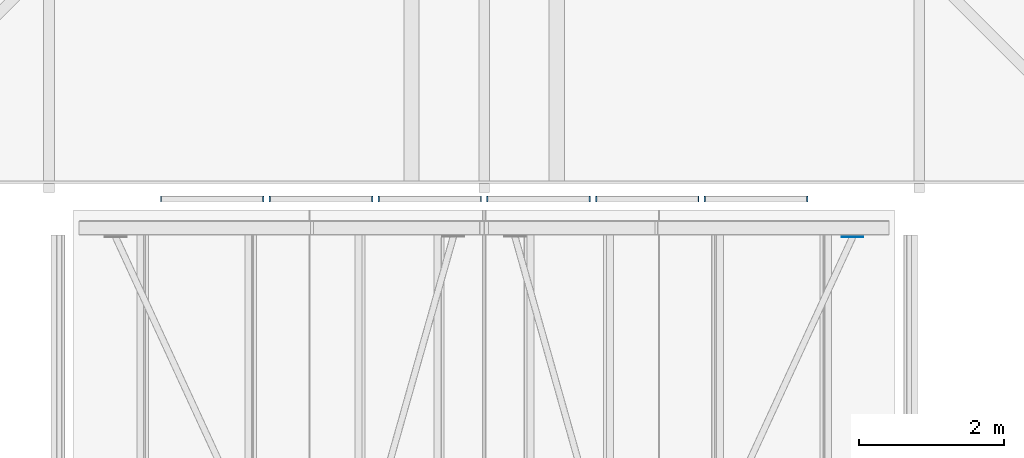
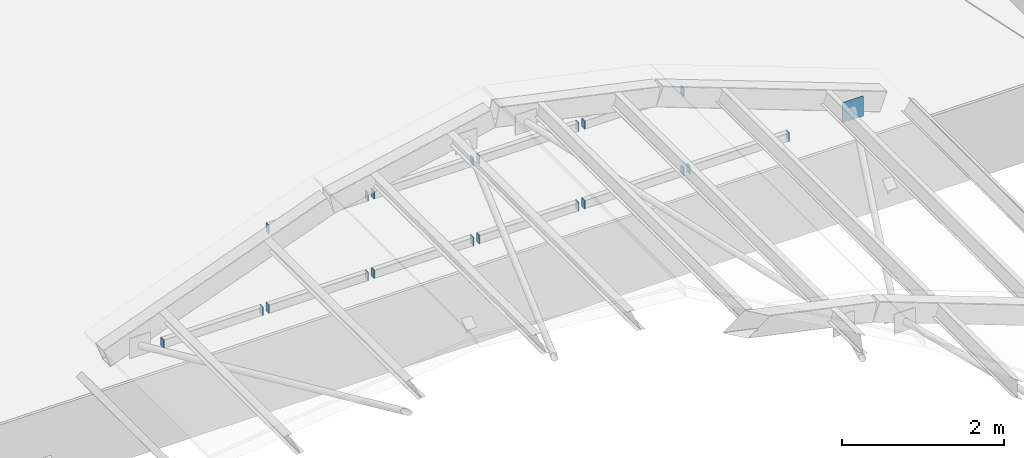
# One storey, part 53 of 57: 21 discrete accessories.
"""IFC4 building model written with IfcOpenShell, lengths in metres."""

from ifc_helpers import new_model, si_unit, direction, frame, origin, origin_2d, place, context, subcontext, project, spatial, rectangle, extrude, material, material_profile, profile_set, type_object, element, save


model = new_model("IFC4")

# Units and contexts
model_context = context("Model", 3, precision=1e-05, world=origin(), true_north=direction((0.0, 1.0)))
body_context = subcontext(model_context, "Body", "Model", "MODEL_VIEW")
ifc_project = project(units=[si_unit("LENGTHUNIT", "METRE"), si_unit("AREAUNIT", "SQUARE_METRE"), si_unit("VOLUMEUNIT", "CUBIC_METRE"), si_unit("PLANEANGLEUNIT", "RADIAN"), si_unit("MASSUNIT", "GRAM", prefix="KILO")], contexts=[model_context])

# Site, building, storey
site_placement = place(None, origin())
site = spatial("IfcSite", under=ifc_project, at=site_placement, CompositionType="ELEMENT")
building_placement = place(site_placement, origin())
building = spatial("IfcBuilding", under=site, at=building_placement, Name="Saffron Lane Theatres", CompositionType="ELEMENT")
storey_placement = place(building_placement, frame((0.0, 0.0, 28.0)))
storey = spatial("IfcBuildingStorey", under=building, at=storey_placement, Name="Upper Roof", CompositionType="ELEMENT", Elevation=28.0)

# Discrete accessories
ifc_material_1 = material(Name="Steel Grade 350", Category="steel")
ifc_material_profile_1 = material_profile(ifc_material_1, rectangle(XDim=0.300048828125, YDim=0.300048828125, at=origin_2d()))
ifc_profile_set_1 = profile_set([ifc_material_profile_1], Name="Steel Grade 350")
discrete_accessory_type_1 = type_object("IfcDiscreteAccessoryType", Name="ST-GUSSET CONNECTION PLATE", PredefinedType="BRACKET", material=ifc_profile_set_1)
discrete_accessory_placement = place(storey_placement, frame((38.07958984375, 89.23046875, 2.0986328125), z_axis=(0.0, -1.0, 0.0), x_axis=(1.0, 0.0, 0.0)))
element("IfcDiscreteAccessory", 1, at=discrete_accessory_placement, inside=storey, type_object=discrete_accessory_type_1, Name="GB92", PredefinedType="BRACKET", context=body_context, shape_type="SweptSolid", body=[
    extrude(rectangle(XDim=0.300048828125, YDim=0.300048828125, at=origin_2d()), origin(), (0.0, 0.0, 1.0), 0.010009765625),
])
ifc_material_2 = material(Name="Steel Grade 350", Category="steel")
ifc_material_profile_2 = material_profile(ifc_material_2, rectangle(XDim=0.074951171875, YDim=0.125, at=origin_2d()))
ifc_profile_set_2 = profile_set([ifc_material_profile_2], Name="Steel Grade 350")
discrete_accessory_type_2 = type_object("IfcDiscreteAccessoryType", Name="ST-STEEL END CAP 125x75x5 RHS", PredefinedType="ANCHORPLATE", material=ifc_profile_set_2)
for number, where, z_axis, x_axis, name in (
    (2, (28.5380859375, 89.75, 1.60009765625), (1.0, 0.0, 0.0), (0.0, 1.0, 0.0), "EC23"),
    (3, (29.949951171875, 89.75, 1.60009765625), (1.0, 0.0, 0.0), (0.0, 1.0, 0.0), "EC24"),
    (4, (30.0380859375, 89.75, 1.60009765625), (1.0, 0.0, 0.0), (0.0, 1.0, 0.0), "EC25"),
    (5, (31.449951171875, 89.75, 1.60009765625), (1.0, 0.0, 0.0), (0.0, 1.0, 0.0), "EC26"),
    (6, (31.5380859375, 89.75, 1.60009765625), (1.0, 0.0, 0.0), (0.0, 1.0, 0.0), "EC27"),
    (7, (32.949951171875, 89.75, 1.60009765625), (1.0, 0.0, 0.0), (0.0, 1.0, 0.0), "EC28"),
    (8, (33.0380859375, 89.75, 1.60009765625), (1.0, 0.0, 0.0), (0.0, 1.0, 0.0), "EC29"),
    (9, (34.449951171875, 89.75, 1.60009765625), (1.0, 0.0, 0.0), (0.0, 1.0, 0.0), "EC30"),
    (10, (34.5380859375, 89.75, 1.60009765625), (1.0, 0.0, 0.0), (0.0, 1.0, 0.0), "EC31"),
    (11, (35.949951171875, 89.75, 1.60009765625), (1.0, 0.0, 0.0), (0.0, 1.0, 0.0), "EC32"),
    (12, (36.0380859375, 89.75, 1.60009765625), (1.0, 0.0, 0.0), (0.0, 1.0, 0.0), "EC33"),
    (13, (37.449951171875, 89.75, 1.60009765625), (1.0, 0.0, 0.0), (0.0, 1.0, 0.0), "EC34"),
    (14, (30.0380859375, 89.75, 2.800048828125), (1.0, 0.0, 0.0), (0.0, 1.0, 0.0), "EC35"),
    (15, (31.449951171875, 89.75, 2.800048828125), (1.0, 0.0, 0.0), (0.0, 1.0, 0.0), "EC36"),
    (16, (31.5380859375, 89.75, 2.800048828125), (1.0, 0.0, 0.0), (0.0, 1.0, 0.0), "EC37"),
    (17, (32.949951171875, 89.75, 2.800048828125), (1.0, 0.0, 0.0), (0.0, 1.0, 0.0), "EC38"),
    (18, (33.0380859375, 89.75, 2.800048828125), (1.0, 0.0, 0.0), (0.0, 1.0, 0.0), "EC39"),
    (19, (34.449951171875, 89.75, 2.800048828125), (1.0, 0.0, 0.0), (0.0, 1.0, 0.0), "EC40"),
    (20, (34.5380859375, 89.75, 2.800048828125), (1.0, 0.0, 0.0), (0.0, 1.0, 0.0), "EC41"),
    (21, (35.949951171875, 89.75, 2.800048828125), (1.0, 0.0, 0.0), (0.0, 1.0, 0.0), "EC42"),
):
    element("IfcDiscreteAccessory", number, at=place(storey_placement, frame(where, z_axis=z_axis, x_axis=x_axis)), inside=storey, type_object=discrete_accessory_type_2, Name=name, PredefinedType="ANCHORPLATE", context=body_context, shape_type="SweptSolid", body=[
        extrude(rectangle(XDim=0.074951171875, YDim=0.125, at=origin_2d()), origin(), (0.0, 0.0, 1.0), 0.011962890625),
    ])

save(model, "model.ifc")
